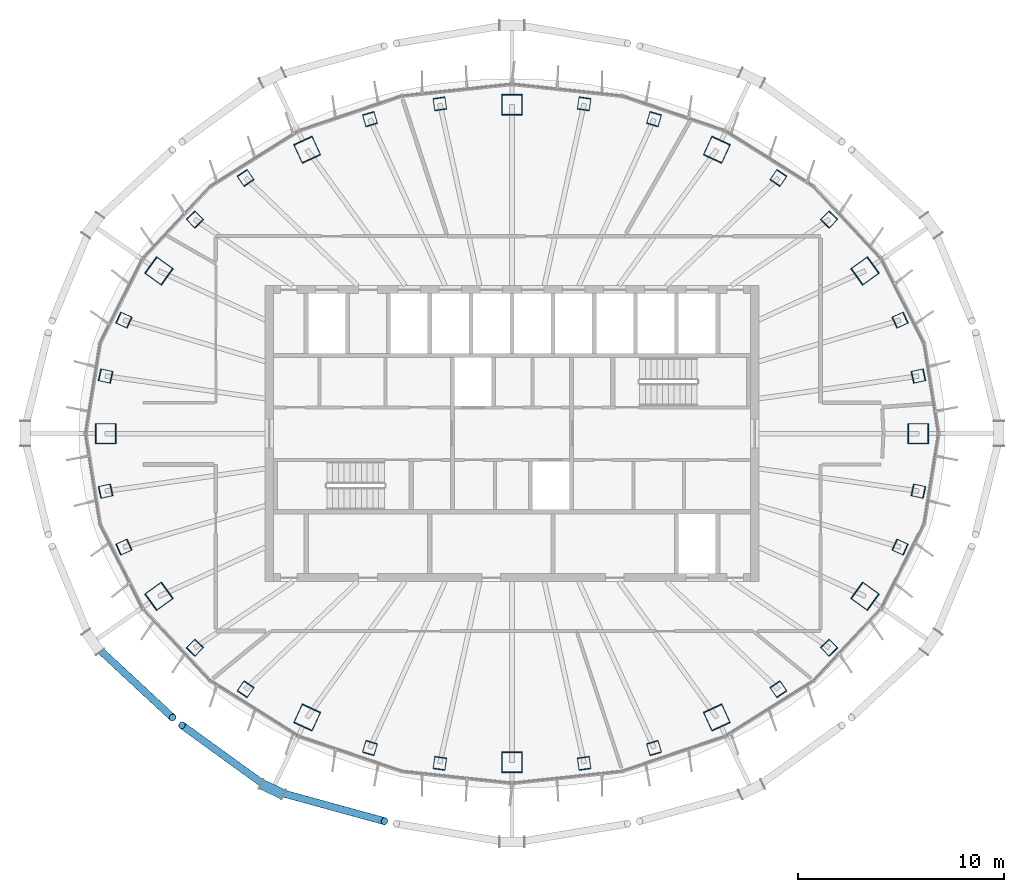
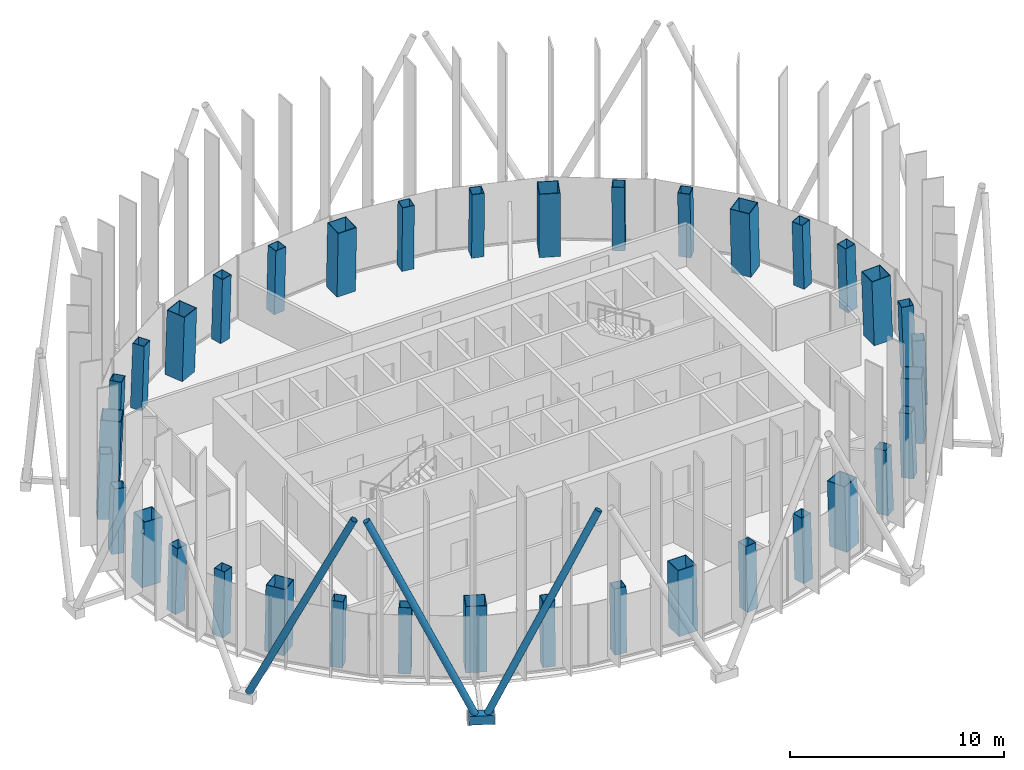
# One storey, part 1 of 19: 36 columns, 4 members.
"""IFC4 building model written with IfcOpenShell, lengths in metres."""

from ifc_helpers import new_model, si_unit, direction, frame, origin, origin_2d, place, context, subcontext, project, spatial, hollow_rectangle, hollow_circle, extrude, material, material_profile, profile_set, type_object, element, save


model = new_model("IFC4")

# Units and contexts
model_context = context("Model", 3, precision=1e-05, world=origin(), true_north=direction((0.0, 1.0)))
body_context = subcontext(model_context, "Body", "Model", "MODEL_VIEW")
ifc_project = project(units=[si_unit("LENGTHUNIT", "METRE"), si_unit("AREAUNIT", "SQUARE_METRE"), si_unit("VOLUMEUNIT", "CUBIC_METRE"), si_unit("PLANEANGLEUNIT", "RADIAN"), si_unit("MASSUNIT", "GRAM", prefix="KILO")], contexts=[model_context])

# Site, building, storey
site_placement = place(None, origin())
site = spatial("IfcSite", under=ifc_project, at=site_placement, CompositionType="ELEMENT")
building_placement = place(site_placement, origin())
building = spatial("IfcBuilding", under=site, at=building_placement, Name="Siaravel Broadcast Tower", CompositionType="ELEMENT")
storey_placement = place(building_placement, frame((0.0, 0.0, 250.39990234375)))
storey = spatial("IfcBuildingStorey", under=building, at=storey_placement, Name="L61", CompositionType="ELEMENT", Elevation=250.39990234375)

# Columns
ifc_material_1 = material(Name="Concrete C70/85", Category="concrete")
ifc_material_profile_1 = material_profile(ifc_material_1, hollow_rectangle(XDim=1.0, YDim=1.0, WallThickness=0.031982421875, at=origin_2d()))
ifc_profile_set_1 = profile_set([ifc_material_profile_1], Name="Concrete C70/85")
column_type_1 = type_object("IfcColumnType", Name="COL-CFT BOX 1000x1000x32", PredefinedType="COLUMN", material=ifc_profile_set_1)
column_1_placement = place(storey_placement, frame((19.775634765625, 0.0, 0.0), z_axis=(-0.034553121, 0.0, 0.999402863), x_axis=(0.0, -1.0, 0.0)))
element("IfcColumn", 1, at=column_1_placement, inside=storey, type_object=column_type_1, Name="Megacolumn MC01", PredefinedType="COLUMN", context=body_context, shape_type="SweptSolid", body=[
    extrude(hollow_rectangle(XDim=1.0, YDim=1.0, WallThickness=0.031982421875, at=origin_2d()), origin(), (0.0, 0.0, 1.0), 3.702392578125),
])
column_2_placement = place(storey_placement, frame((17.1796875, 7.916015625, 0.0), z_axis=(-0.029938693, -0.014178016, 0.999451179), x_axis=(0.584581123, -0.811313063, 0.00600208)))
element("IfcColumn", 2, at=column_2_placement, inside=storey, type_object=column_type_1, Name="Megacolumn MC02", PredefinedType="COLUMN", context=body_context, shape_type="SweptSolid", body=[
    extrude(hollow_rectangle(XDim=1.0, YDim=1.0, WallThickness=0.031982421875, at=origin_2d()), origin(), (0.0, 0.0, 1.0), 3.7021484375),
])
column_3_placement = place(storey_placement, frame((9.967529296875, 13.814208984375, 0.0), z_axis=(-0.017279098, -0.024533681, 0.999549664), x_axis=(0.908788258, -0.417221747, 0.005469519)))
element("IfcColumn", 3, at=column_3_placement, inside=storey, type_object=column_type_1, Name="Megacolumn MC03", PredefinedType="COLUMN", context=body_context, shape_type="SweptSolid", body=[
    extrude(hollow_rectangle(XDim=1.0, YDim=1.0, WallThickness=0.031982421875, at=origin_2d()), origin(), (0.0, 0.0, 1.0), 3.701904296875),
])
column_4_placement = place(storey_placement, frame((0.0, 15.99951171875, 0.0), z_axis=(0.0, -0.028294289, 0.999599636), x_axis=(1.0, 0.0, 0.0)))
element("IfcColumn", 4, at=column_4_placement, inside=storey, type_object=column_type_1, Name="Megacolumn MC04", PredefinedType="COLUMN", context=body_context, shape_type="SweptSolid", body=[
    extrude(hollow_rectangle(XDim=1.0, YDim=1.0, WallThickness=0.031982421875, at=origin_2d()), origin(), (0.0, 0.0, 1.0), 3.70166015625),
])
column_5_placement = place(storey_placement, frame((-9.967529296875, 13.814208984375, 0.0), z_axis=(0.017279098, -0.024533681, 0.999549664), x_axis=(0.908788258, 0.417221747, -0.005469519)))
element("IfcColumn", 5, at=column_5_placement, inside=storey, type_object=column_type_1, Name="Megacolumn MC05", PredefinedType="COLUMN", context=body_context, shape_type="SweptSolid", body=[
    extrude(hollow_rectangle(XDim=1.0, YDim=1.0, WallThickness=0.031982421875, at=origin_2d()), origin(), (0.0, 0.0, 1.0), 3.701904296875),
])
column_6_placement = place(storey_placement, frame((-17.1796875, 7.916015625, 0.0), z_axis=(0.029938693, -0.014178016, 0.999451179), x_axis=(0.584581123, 0.811313063, -0.00600208)))
element("IfcColumn", 6, at=column_6_placement, inside=storey, type_object=column_type_1, Name="Megacolumn MC06", PredefinedType="COLUMN", context=body_context, shape_type="SweptSolid", body=[
    extrude(hollow_rectangle(XDim=1.0, YDim=1.0, WallThickness=0.031982421875, at=origin_2d()), origin(), (0.0, 0.0, 1.0), 3.7021484375),
])
column_7_placement = place(storey_placement, frame((-19.775634765625, 0.0, 0.0), z_axis=(0.034553121, 0.0, 0.999402863), x_axis=(0.0, 1.0, 0.0)))
element("IfcColumn", 7, at=column_7_placement, inside=storey, type_object=column_type_1, Name="Megacolumn MC07", PredefinedType="COLUMN", context=body_context, shape_type="SweptSolid", body=[
    extrude(hollow_rectangle(XDim=1.0, YDim=1.0, WallThickness=0.031982421875, at=origin_2d()), origin(), (0.0, 0.0, 1.0), 3.702392578125),
])
column_8_placement = place(storey_placement, frame((-17.1796875, -7.916015625, 0.0), z_axis=(0.029938693, 0.014178016, 0.999451179), x_axis=(-0.584581123, 0.811313063, 0.00600208)))
element("IfcColumn", 8, at=column_8_placement, inside=storey, type_object=column_type_1, Name="Megacolumn MC08", PredefinedType="COLUMN", context=body_context, shape_type="SweptSolid", body=[
    extrude(hollow_rectangle(XDim=1.0, YDim=1.0, WallThickness=0.031982421875, at=origin_2d()), origin(), (0.0, 0.0, 1.0), 3.7021484375),
])
column_9_placement = place(storey_placement, frame((-9.967529296875, -13.814208984375, 0.0), z_axis=(0.017279098, 0.024533681, 0.999549664), x_axis=(-0.908788258, 0.417221747, 0.005469519)))
element("IfcColumn", 9, at=column_9_placement, inside=storey, type_object=column_type_1, Name="Megacolumn MC09", PredefinedType="COLUMN", context=body_context, shape_type="SweptSolid", body=[
    extrude(hollow_rectangle(XDim=1.0, YDim=1.0, WallThickness=0.031982421875, at=origin_2d()), origin(), (0.0, 0.0, 1.0), 3.701904296875),
])
column_10_placement = place(storey_placement, frame((0.0, -15.99951171875, 0.0), z_axis=(0.0, 0.028294289, 0.999599636), x_axis=(-1.0, 0.0, 0.0)))
element("IfcColumn", 10, at=column_10_placement, inside=storey, type_object=column_type_1, Name="Megacolumn MC10", PredefinedType="COLUMN", context=body_context, shape_type="SweptSolid", body=[
    extrude(hollow_rectangle(XDim=1.0, YDim=1.0, WallThickness=0.031982421875, at=origin_2d()), origin(), (0.0, 0.0, 1.0), 3.70166015625),
])
column_11_placement = place(storey_placement, frame((9.967529296875, -13.814208984375, 0.0), z_axis=(-0.017279098, 0.024533681, 0.999549664), x_axis=(-0.908788258, -0.417221747, -0.005469519)))
element("IfcColumn", 11, at=column_11_placement, inside=storey, type_object=column_type_1, Name="Megacolumn MC11", PredefinedType="COLUMN", context=body_context, shape_type="SweptSolid", body=[
    extrude(hollow_rectangle(XDim=1.0, YDim=1.0, WallThickness=0.031982421875, at=origin_2d()), origin(), (0.0, 0.0, 1.0), 3.701904296875),
])
column_12_placement = place(storey_placement, frame((17.1796875, -7.916015625, 0.0), z_axis=(-0.029938693, 0.014178016, 0.999451179), x_axis=(-0.584581123, -0.811313063, -0.00600208)))
element("IfcColumn", 12, at=column_12_placement, inside=storey, type_object=column_type_1, Name="Megacolumn MC12", PredefinedType="COLUMN", context=body_context, shape_type="SweptSolid", body=[
    extrude(hollow_rectangle(XDim=1.0, YDim=1.0, WallThickness=0.031982421875, at=origin_2d()), origin(), (0.0, 0.0, 1.0), 3.7021484375),
])
ifc_material_2 = material(Name="Concrete C50/60", Category="concrete")
ifc_material_profile_2 = material_profile(ifc_material_2, hollow_rectangle(XDim=0.60009765625, YDim=0.60009765625, WallThickness=0.02490234375, at=origin_2d()))
ifc_profile_set_2 = profile_set([ifc_material_profile_2], Name="Concrete C50/60")
column_type_2 = type_object("IfcColumnType", Name="COL-CFT BOX 600x600x25", PredefinedType="COLUMN", material=ifc_profile_set_2)
for number, where, z_axis, x_axis, name in (
    (13, (19.776611328125, 2.801025390625, 0.0), (-0.034091657, -0.004945598, 0.999406474), (0.213690802, -0.976898262, 0.002455184), "Perimeter column C01"),
    (14, (18.8857421875, 5.523681640625, 0.0), (-0.032509649, -0.009693546, 0.999424413), (0.41077643, -0.911724906, 0.004518951), "Perimeter column C02"),
):
    element("IfcColumn", number, at=place(storey_placement, frame(where, z_axis=z_axis, x_axis=x_axis)), inside=storey, type_object=column_type_2, Name=name, PredefinedType="COLUMN", context=body_context, shape_type="SweptSolid", body=[
        extrude(hollow_rectangle(XDim=0.60009765625, YDim=0.60009765625, WallThickness=0.02490234375, at=origin_2d()), origin(), (0.0, 0.0, 1.0), 3.702392578125),
    ])
column_13_placement = place(storey_placement, frame((15.432861328125, 10.4189453125, 0.0), z_axis=(-0.026510431, -0.018201192, 0.999482823), x_axis=(0.720939295, -0.692967708, 0.006502937)))
element("IfcColumn", 15, at=column_13_placement, inside=storey, type_object=column_type_2, Name="Perimeter column C03", PredefinedType="COLUMN", context=body_context, shape_type="SweptSolid", body=[
    extrude(hollow_rectangle(XDim=0.60009765625, YDim=0.60009765625, WallThickness=0.02490234375, at=origin_2d()), origin(), (0.0, 0.0, 1.0), 3.7021484375),
])
column_14_placement = place(storey_placement, frame((12.965576171875, 12.439697265625, 0.0), z_axis=(-0.02222469, -0.021697101, 0.999517533), x_axis=(0.828926622, -0.559321993, 0.006290006)))
element("IfcColumn", 16, at=column_14_placement, inside=storey, type_object=column_type_2, Name="Perimeter column C04", PredefinedType="COLUMN", context=body_context, shape_type="SweptSolid", body=[
    extrude(hollow_rectangle(XDim=0.60009765625, YDim=0.60009765625, WallThickness=0.02490234375, at=origin_2d()), origin(), (0.0, 0.0, 1.0), 3.701904296875),
])
for number, where, z_axis, x_axis, name in (
    (17, (6.911376953125, 15.3017578125, 0.0), (-0.011805488, -0.026644788, 0.999575253), (0.960316071, -0.278886668, 0.003907783), "Perimeter column C05"),
    (18, (3.5107421875, 16.048095703125, 0.0), (-0.006067718, -0.027964263, 0.999590508), (0.989964892, -0.141298566, 0.002056359), "Perimeter column C06"),
    (19, (-3.5107421875, 16.048095703125, 0.0), (0.006067718, -0.027964263, 0.999590508), (0.989964892, 0.141298566, -0.002056359), "Perimeter column C07"),
    (20, (-6.911376953125, 15.3017578125, 0.0), (0.011805488, -0.026644788, 0.999575253), (0.960316071, 0.278886668, -0.003907783), "Perimeter column C08"),
):
    element("IfcColumn", number, at=place(storey_placement, frame(where, z_axis=z_axis, x_axis=x_axis)), inside=storey, type_object=column_type_2, Name=name, PredefinedType="COLUMN", context=body_context, shape_type="SweptSolid", body=[
        extrude(hollow_rectangle(XDim=0.60009765625, YDim=0.60009765625, WallThickness=0.02490234375, at=origin_2d()), origin(), (0.0, 0.0, 1.0), 3.70166015625),
    ])
column_15_placement = place(storey_placement, frame((-12.965576171875, 12.439697265625, 0.0), z_axis=(0.02222469, -0.021697101, 0.999517533), x_axis=(0.828926622, 0.559321993, -0.006290006)))
element("IfcColumn", 21, at=column_15_placement, inside=storey, type_object=column_type_2, Name="Perimeter column C09", PredefinedType="COLUMN", context=body_context, shape_type="SweptSolid", body=[
    extrude(hollow_rectangle(XDim=0.60009765625, YDim=0.60009765625, WallThickness=0.02490234375, at=origin_2d()), origin(), (0.0, 0.0, 1.0), 3.701904296875),
])
column_16_placement = place(storey_placement, frame((-15.432861328125, 10.4189453125, 0.0), z_axis=(0.026510431, -0.018201192, 0.999482823), x_axis=(0.720939295, 0.692967708, -0.006502937)))
element("IfcColumn", 22, at=column_16_placement, inside=storey, type_object=column_type_2, Name="Perimeter column C10", PredefinedType="COLUMN", context=body_context, shape_type="SweptSolid", body=[
    extrude(hollow_rectangle(XDim=0.60009765625, YDim=0.60009765625, WallThickness=0.02490234375, at=origin_2d()), origin(), (0.0, 0.0, 1.0), 3.7021484375),
])
for number, where, z_axis, x_axis, name in (
    (23, (-18.8857421875, 5.523681640625, 0.0), (0.032509649, -0.009693546, 0.999424413), (0.41077643, 0.911724906, -0.004518951), "Perimeter column C11"),
    (24, (-19.776611328125, 2.801025390625, 0.0), (0.034091657, -0.004945598, 0.999406474), (0.213690802, 0.976898262, -0.002455184), "Perimeter column C12"),
    (25, (-19.776611328125, -2.801025390625, 0.0), (0.034091657, 0.004945598, 0.999406474), (-0.213690802, 0.976898262, 0.002455184), "Perimeter column C13"),
    (26, (-18.8857421875, -5.523681640625, 0.0), (0.032509649, 0.009693546, 0.999424413), (-0.41077643, 0.911724906, 0.004518951), "Perimeter column C14"),
):
    element("IfcColumn", number, at=place(storey_placement, frame(where, z_axis=z_axis, x_axis=x_axis)), inside=storey, type_object=column_type_2, Name=name, PredefinedType="COLUMN", context=body_context, shape_type="SweptSolid", body=[
        extrude(hollow_rectangle(XDim=0.60009765625, YDim=0.60009765625, WallThickness=0.02490234375, at=origin_2d()), origin(), (0.0, 0.0, 1.0), 3.702392578125),
    ])
column_17_placement = place(storey_placement, frame((-15.432861328125, -10.4189453125, 0.0), z_axis=(0.026510431, 0.018201192, 0.999482823), x_axis=(-0.720939295, 0.692967708, 0.006502937)))
element("IfcColumn", 27, at=column_17_placement, inside=storey, type_object=column_type_2, Name="Perimeter column C15", PredefinedType="COLUMN", context=body_context, shape_type="SweptSolid", body=[
    extrude(hollow_rectangle(XDim=0.60009765625, YDim=0.60009765625, WallThickness=0.02490234375, at=origin_2d()), origin(), (0.0, 0.0, 1.0), 3.7021484375),
])
column_18_placement = place(storey_placement, frame((-12.965576171875, -12.439697265625, 0.0), z_axis=(0.02222469, 0.021697101, 0.999517533), x_axis=(-0.828926622, 0.559321993, 0.006290006)))
element("IfcColumn", 28, at=column_18_placement, inside=storey, type_object=column_type_2, Name="Perimeter column C16", PredefinedType="COLUMN", context=body_context, shape_type="SweptSolid", body=[
    extrude(hollow_rectangle(XDim=0.60009765625, YDim=0.60009765625, WallThickness=0.02490234375, at=origin_2d()), origin(), (0.0, 0.0, 1.0), 3.701904296875),
])
for number, where, z_axis, x_axis, name in (
    (29, (-6.911376953125, -15.3017578125, 0.0), (0.011805488, 0.026644788, 0.999575253), (-0.960316071, 0.278886668, 0.003907783), "Perimeter column C17"),
    (30, (-3.5107421875, -16.048095703125, 0.0), (0.006067718, 0.027964263, 0.999590508), (-0.989964892, 0.141298566, 0.002056359), "Perimeter column C18"),
    (31, (3.5107421875, -16.048095703125, 0.0), (-0.006067718, 0.027964263, 0.999590508), (-0.989964892, -0.141298566, -0.002056359), "Perimeter column C19"),
    (32, (6.911376953125, -15.3017578125, 0.0), (-0.011805488, 0.026644788, 0.999575253), (-0.960316071, -0.278886668, -0.003907783), "Perimeter column C20"),
):
    element("IfcColumn", number, at=place(storey_placement, frame(where, z_axis=z_axis, x_axis=x_axis)), inside=storey, type_object=column_type_2, Name=name, PredefinedType="COLUMN", context=body_context, shape_type="SweptSolid", body=[
        extrude(hollow_rectangle(XDim=0.60009765625, YDim=0.60009765625, WallThickness=0.02490234375, at=origin_2d()), origin(), (0.0, 0.0, 1.0), 3.70166015625),
    ])
column_19_placement = place(storey_placement, frame((12.965576171875, -12.439697265625, 0.0), z_axis=(-0.02222469, 0.021697101, 0.999517533), x_axis=(-0.828926622, -0.559321993, -0.006290006)))
element("IfcColumn", 33, at=column_19_placement, inside=storey, type_object=column_type_2, Name="Perimeter column C21", PredefinedType="COLUMN", context=body_context, shape_type="SweptSolid", body=[
    extrude(hollow_rectangle(XDim=0.60009765625, YDim=0.60009765625, WallThickness=0.02490234375, at=origin_2d()), origin(), (0.0, 0.0, 1.0), 3.701904296875),
])
column_20_placement = place(storey_placement, frame((15.432861328125, -10.4189453125, 0.0), z_axis=(-0.026510431, 0.018201192, 0.999482823), x_axis=(-0.720939295, -0.692967708, -0.006502937)))
element("IfcColumn", 34, at=column_20_placement, inside=storey, type_object=column_type_2, Name="Perimeter column C22", PredefinedType="COLUMN", context=body_context, shape_type="SweptSolid", body=[
    extrude(hollow_rectangle(XDim=0.60009765625, YDim=0.60009765625, WallThickness=0.02490234375, at=origin_2d()), origin(), (0.0, 0.0, 1.0), 3.7021484375),
])
for number, where, z_axis, x_axis, name in (
    (35, (18.8857421875, -5.523681640625, 0.0), (-0.032509649, 0.009693546, 0.999424413), (-0.41077643, -0.911724906, -0.004518951), "Perimeter column C23"),
    (36, (19.776611328125, -2.801025390625, 0.0), (-0.034091657, 0.004945598, 0.999406474), (-0.213690802, -0.976898262, -0.002455184), "Perimeter column C24"),
):
    element("IfcColumn", number, at=place(storey_placement, frame(where, z_axis=z_axis, x_axis=x_axis)), inside=storey, type_object=column_type_2, Name=name, PredefinedType="COLUMN", context=body_context, shape_type="SweptSolid", body=[
        extrude(hollow_rectangle(XDim=0.60009765625, YDim=0.60009765625, WallThickness=0.02490234375, at=origin_2d()), origin(), (0.0, 0.0, 1.0), 3.702392578125),
    ])

# Members
ifc_material_3 = material(Name="Steel S460", Category="steel")
ifc_material_profile_3 = material_profile(ifc_material_3, hollow_circle(Radius=0.177734375, WallThickness=0.012451171875, at=origin_2d()))
ifc_profile_set_3 = profile_set([ifc_material_profile_3], Name="Steel S460")
member_type_1 = type_object("IfcMemberType", Name="Diagrid diagonal CHS 355.6x12.5", PredefinedType="BRACE", material=ifc_profile_set_3)
member_1_placement = place(storey_placement, frame((-20.2001953125, -10.367919921875, 0.02001953125), z_axis=(0.313561606, -0.291310717, 0.90377939), x_axis=(0.680634718, 0.732622946, 0.0)))
element("IfcMember", 37, at=member_1_placement, inside=storey, type_object=member_type_1, Name="Diagrid diagonal R25 station 42A", PredefinedType="BRACE", context=body_context, shape_type="SweptSolid", body=[
    extrude(hollow_circle(Radius=0.177734375, WallThickness=0.012451171875, at=origin_2d()), origin(), (0.0, 0.0, 1.0), 11.795166015625),
])
member_2_placement = place(storey_placement, frame((-11.91259765625, -17.1689453125, 0.02001953125), z_axis=(-0.349638066, 0.253035159, 0.902067864), x_axis=(-0.586280234, -0.810108318, 0.0)))
element("IfcMember", 38, at=member_2_placement, inside=storey, type_object=member_type_1, Name="Diagrid diagonal R25 station 48C", PredefinedType="BRACE", context=body_context, shape_type="SweptSolid", body=[
    extrude(hollow_circle(Radius=0.177734375, WallThickness=0.012451171875, at=origin_2d()), origin(), (0.0, 0.0, 1.0), 11.8173828125),
])
member_3_placement = place(storey_placement, frame((-11.378173828125, -17.421630859375, 0.02001953125), z_axis=(0.433866118, -0.118918424, 0.893094956), x_axis=(0.264340585, 0.964429393, 0.0)))
element("IfcMember", 39, at=member_3_placement, inside=storey, type_object=member_type_1, Name="Diagrid diagonal R25 station 48A", PredefinedType="BRACE", context=body_context, shape_type="SweptSolid", body=[
    extrude(hollow_circle(Radius=0.177734375, WallThickness=0.012451171875, at=origin_2d()), origin(), (0.0, 0.0, 1.0), 11.936279296875),
])
ifc_material_profile_4 = material_profile(ifc_material_3, hollow_rectangle(XDim=0.5, YDim=0.5, WallThickness=0.031982421875, at=origin_2d()))
ifc_profile_set_4 = profile_set([ifc_material_profile_4], Name="Steel S460")
member_type_2 = type_object("IfcMemberType", Name="Diagrid node BOX 500x500x32", PredefinedType="USERDEFINED", material=ifc_profile_set_4)
member_4_placement = place(storey_placement, frame((-12.181884765625, -17.04150390625, -0.199951171875), z_axis=(0.903963868, -0.427608847, 0.0), x_axis=(0.427608847, 0.903963868, 0.0)))
element("IfcMember", 40, at=member_4_placement, inside=storey, type_object=member_type_2, Name="Diagrid node R25 station 48", ObjectType="DIAGRID NODE", PredefinedType="USERDEFINED", context=body_context, shape_type="SweptSolid", body=[
    extrude(hollow_rectangle(XDim=0.5, YDim=0.5, WallThickness=0.031982421875, at=origin_2d()), origin(), (0.0, 0.0, 1.0), 1.18701171875),
])

save(model, "model.ifc")
